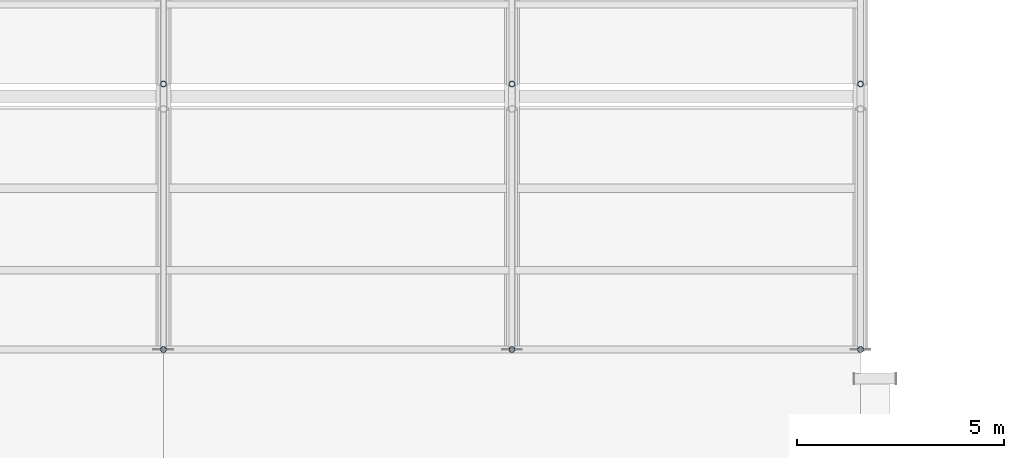
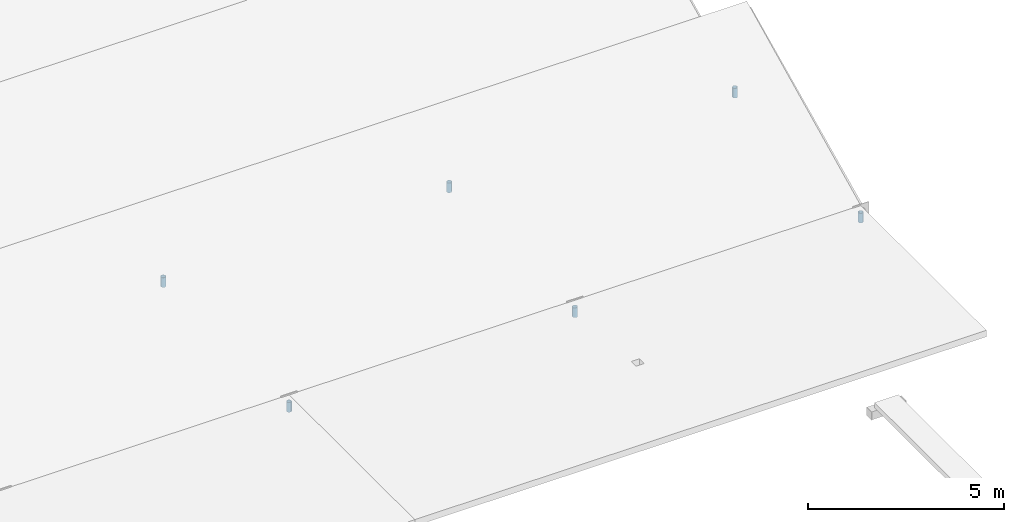
# One storey, part 137 of 194: 6 members.
"""IFC4 building model written with IfcOpenShell, lengths in metres."""

from ifc_helpers import new_model, si_unit, direction, frame, origin, origin_2d, place, context, subcontext, project, spatial, hollow_circle, extrude, material, material_profile, profile_set, type_object, element, save


model = new_model("IFC4")

# Units and contexts
model_context = context("Model", 3, precision=1e-05, world=origin(), true_north=direction((0.0, 1.0)))
body_context = subcontext(model_context, "Body", "Model", "MODEL_VIEW")
ifc_project = project(units=[si_unit("LENGTHUNIT", "METRE"), si_unit("AREAUNIT", "SQUARE_METRE"), si_unit("VOLUMEUNIT", "CUBIC_METRE"), si_unit("PLANEANGLEUNIT", "RADIAN"), si_unit("MASSUNIT", "GRAM", prefix="KILO")], contexts=[model_context])

# Site, building, storey
site_placement = place(None, origin())
site = spatial("IfcSite", under=ifc_project, at=site_placement, CompositionType="ELEMENT")
building_placement = place(site_placement, origin())
building = spatial("IfcBuilding", under=site, at=building_placement, Name="Kazenagashi Tramway Depot", CompositionType="ELEMENT")
storey_placement = place(building_placement, frame((0.0, 0.0, 23.7)))
storey = spatial("IfcBuildingStorey", under=building, at=storey_placement, Name="ROOF", CompositionType="ELEMENT", Elevation=23.7)

# Members
ifc_material = material(Name="Steel STK490", Category="steel")
ifc_material_profile = material_profile(ifc_material, hollow_circle(Radius=0.0699, WallThickness=0.0066, at=origin_2d()), Name="CHS-139.8x6.6")
ifc_profile_set = profile_set([ifc_material_profile], Name="Steel STK490")
member_type = type_object("IfcMemberType", Name="TS-02", PredefinedType="STRUT", material=ifc_profile_set)
for number, where, z_axis, x_axis, name in (
    (1, (128.8, 22.9, -8.9), (0.0, 0.0, 1.0), (1.0, 0.0, 0.0), "Roof Truss TS-02 MEM-1441"),
    (2, (128.8, 29.3, -8.9), (0.0, 0.0, 1.0), (1.0, 0.0, 0.0), "Roof Truss TS-02 MEM-1446"),
    (3, (137.2, 22.9, -8.9), (0.0, 0.0, 1.0), (1.0, 0.0, 0.0), "Roof Truss TS-02 MEM-1470"),
    (4, (137.2, 29.3, -8.9), (0.0, 0.0, 1.0), (1.0, 0.0, 0.0), "Roof Truss TS-02 MEM-1475"),
    (5, (145.6, 22.9, -8.9), (0.0, 0.0, 1.0), (1.0, 0.0, 0.0), "Roof Truss TS-02 MEM-1499"),
    (6, (145.6, 29.3, -8.9), (0.0, 0.0, 1.0), (1.0, 0.0, 0.0), "Roof Truss TS-02 MEM-1504"),
):
    element("IfcMember", number, at=place(storey_placement, frame(where, z_axis=z_axis, x_axis=x_axis)), inside=storey, type_object=member_type, Name=name, PredefinedType="STRUT", context=body_context, shape_type="SweptSolid", body=[
        extrude(hollow_circle(Radius=0.0699, WallThickness=0.0066, at=origin_2d()), origin(), (0.0, 0.0, 1.0), 0.3),
    ])

save(model, "model.ifc")
